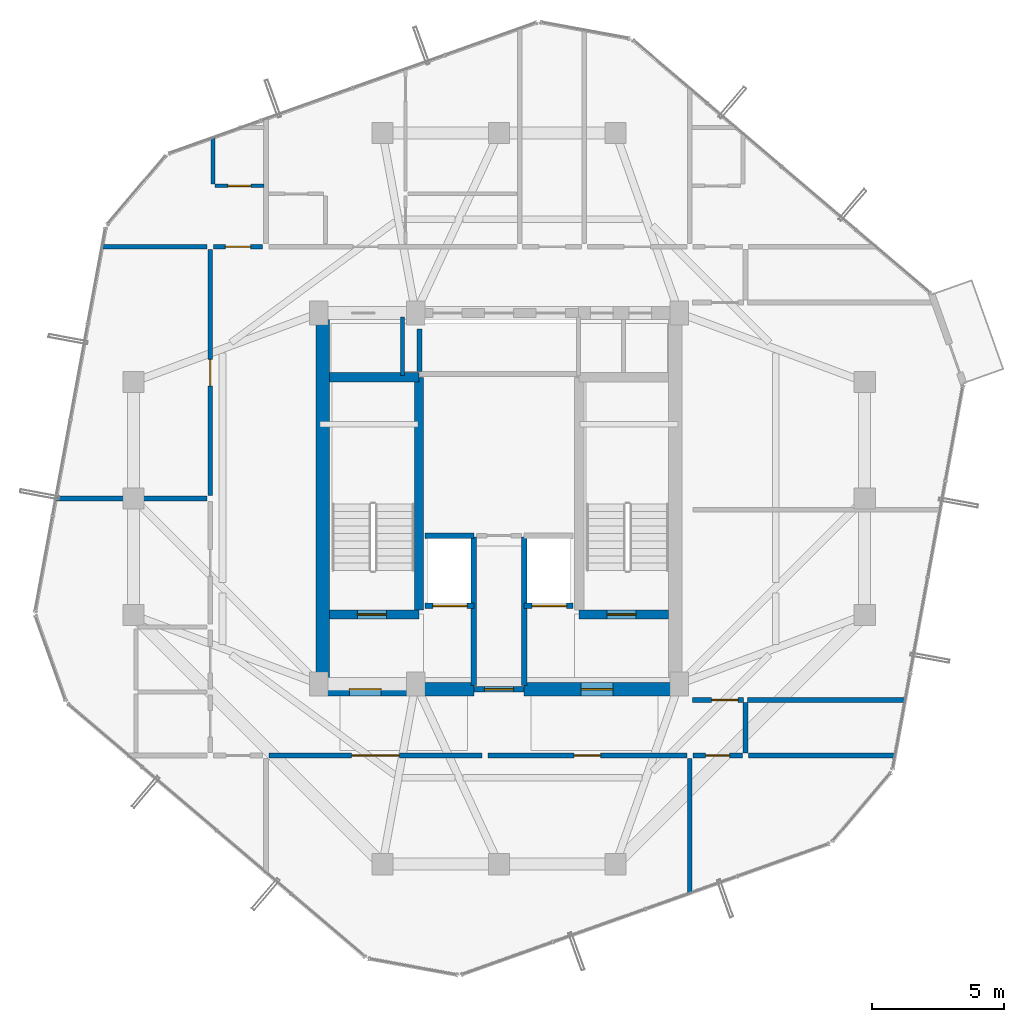
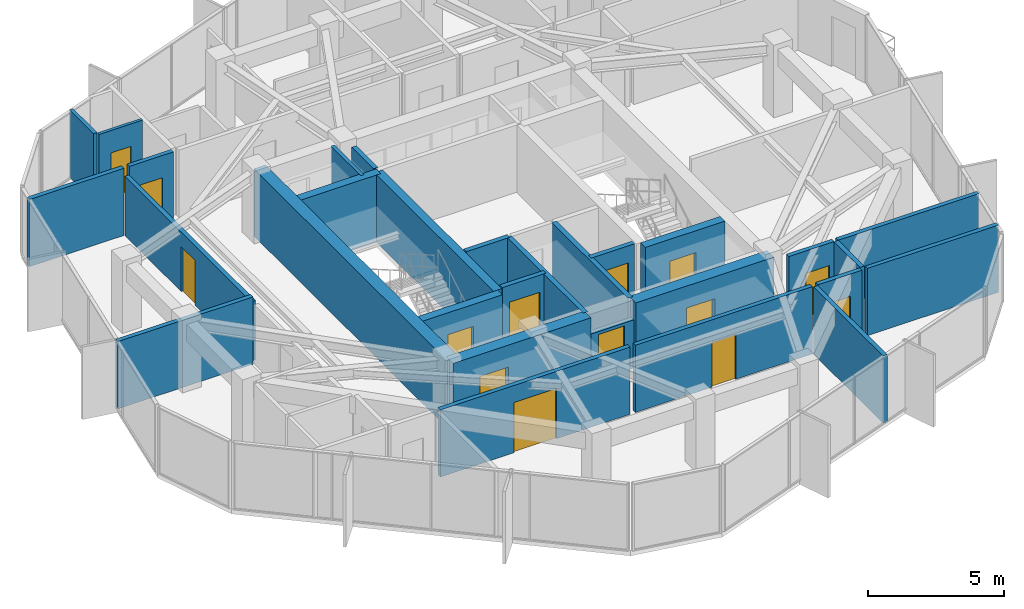
# One storey, part 25 of 29: 29 walls, 14 doors, 14 openings.
"""IFC4 building model written with IfcOpenShell, lengths in metres."""

from ifc_helpers import new_model, si_unit, direction, frame, frame_2d, origin, place, context, subcontext, project, spatial, rectangle, extrude, source, transform, mapped, material, layer, layer_set, type_object, element, fill, save


model = new_model("IFC4")

# Units and contexts
model_context = context("Model", 3, precision=1e-05, world=origin(), true_north=direction((0.0, 1.0)))
body_context = subcontext(model_context, "Body", "Model", "MODEL_VIEW")
ifc_project = project(units=[si_unit("LENGTHUNIT", "METRE"), si_unit("AREAUNIT", "SQUARE_METRE"), si_unit("VOLUMEUNIT", "CUBIC_METRE"), si_unit("PLANEANGLEUNIT", "RADIAN"), si_unit("MASSUNIT", "GRAM", prefix="KILO")], contexts=[model_context])

# Site, building, storey
site_placement = place(None, origin())
site = spatial("IfcSite", under=ifc_project, at=site_placement, CompositionType="ELEMENT")
building_placement = place(site_placement, origin())
building = spatial("IfcBuilding", under=site, at=building_placement, Name="Veraguas Prism Commons", CompositionType="ELEMENT")
storey_placement = place(building_placement, frame((0.0, 0.0, 244.75)))
storey = spatial("IfcBuildingStorey", under=building, at=storey_placement, Name="L69", CompositionType="ELEMENT", Elevation=244.75)

# Wall, opening, door
ifc_material_1 = material(Name="Concrete C50/60", Category="concrete")
ifc_layer_1 = layer(ifc_material_1, 0.35009765625, Name="Core Internal Shear Wall Upper RC 350", Category="concrete")
ifc_layer_set_1 = layer_set([ifc_layer_1], Name="Concrete C50/60")
wall_type_1 = type_object("IfcWallType", Name="Core Internal Shear Wall Upper RC 350", PredefinedType="SHEAR", material=ifc_layer_set_1)
wall_1_placement = place(storey_placement, frame((17.60009765625, 19.625, 0.0), z_axis=(0.0, 0.0, 1.0), x_axis=(1.0, 0.0, 0.0)))
wall_1 = element("IfcWall", 1, at=wall_1_placement, inside=storey, type_object=wall_type_1, Name="Stair ST-01 South Shear Wall L69", PredefinedType="SHEAR", context=body_context, shape_type="SweptSolid", body=[
    extrude(rectangle(XDim=3.375, YDim=0.35009765625, at=frame_2d((1.6875, 0.0))), origin(), (0.0, 0.0, 1.0), 3.014892578125),
])
opening_1_placement = place(wall_1_placement, frame((1.050048828125, 0.0, 0.0)))
opening_1 = element("IfcOpeningElement", 2, at=opening_1_placement, cuts=wall_1, Name="Opening DR-05", PredefinedType="OPENING", context=body_context, shape_type="SweptSolid", body=[
    extrude(rectangle(XDim=1.10009765625, YDim=2.030029296875, at=frame_2d((0.550048828125, 1.01513671875))), frame((0.0, 0.18505859375, 0.0), z_axis=(0.0, -1.0, 0.0), x_axis=(1.0, 0.0, 0.0)), (0.0, 0.0, 1.0), 0.3701171875),
])
ifc_material_2 = material(Name="Steel fire-rated door assembly", Category="steel")
door_type_1 = type_object("IfcDoorType", Name="Protected Stair and Refuge Fire Door 1100x2030", OperationType="NOTDEFINED", PredefinedType="DOOR", material=ifc_material_2)
shared_shape_1 = source(origin(), body_context, "Body", "SweptSolid", [
    extrude(rectangle(XDim=1.10009765625, YDim=2.030029296875, at=frame_2d((0.550048828125, 1.01513671875))), frame((0.0, 0.02490234375, 0.0), z_axis=(0.0, -1.0, 0.0), x_axis=(1.0, 0.0, 0.0)), (0.0, 0.0, 1.0), 0.050048828125),
])
door_1_placement = place(opening_1_placement, origin())
door_1 = element("IfcDoor", 3, at=door_1_placement, inside=storey, type_object=door_type_1, Name="Stair ST-01 Enclosure Door L69", OperationType="SINGLE_SWING_RIGHT", OverallHeight=2.030029296875, OverallWidth=1.10009765625, PredefinedType="DOOR", context=body_context, shape_type="MappedRepresentation", body=[
    mapped(shared_shape_1, transform((0.0, 0.0, 0.0), scale=1.0)),
])
fill(opening_1, door_1)

wall_2_placement = place(storey_placement, frame((27.02490234375, 19.625, 0.0), z_axis=(0.0, 0.0, 1.0), x_axis=(1.0, 0.0, 0.0)))
wall_2 = element("IfcWall", 4, at=wall_2_placement, inside=storey, type_object=wall_type_1, Name="Stair ST-02 South Shear Wall L69", PredefinedType="SHEAR", context=body_context, shape_type="SweptSolid", body=[
    extrude(rectangle(XDim=3.375, YDim=0.35009765625, at=frame_2d((1.6875, 0.0))), origin(), (0.0, 0.0, 1.0), 3.014892578125),
])
opening_2_placement = place(wall_2_placement, frame((1.050048828125, 0.0, 0.0)))
opening_2 = element("IfcOpeningElement", 5, at=opening_2_placement, cuts=wall_2, Name="Opening DR-05", PredefinedType="OPENING", context=body_context, shape_type="SweptSolid", body=[
    extrude(rectangle(XDim=1.10009765625, YDim=2.030029296875, at=frame_2d((0.550048828125, 1.01513671875))), frame((0.0, 0.18505859375, 0.0), z_axis=(0.0, -1.0, 0.0), x_axis=(1.0, 0.0, 0.0)), (0.0, 0.0, 1.0), 0.3701171875),
])
door_2_placement = place(opening_2_placement, origin())
door_2 = element("IfcDoor", 6, at=door_2_placement, inside=storey, type_object=door_type_1, Name="Stair ST-02 Enclosure Door L69", OperationType="SINGLE_SWING_LEFT", OverallHeight=2.030029296875, OverallWidth=1.10009765625, PredefinedType="DOOR", context=body_context, shape_type="MappedRepresentation", body=[
    mapped(shared_shape_1, transform((0.0, 0.0, 0.0), scale=1.0)),
])
fill(opening_2, door_2)

# Walls
wall_3_placement = place(storey_placement, frame((20.97509765625, 19.800048828125, 0.0), z_axis=(0.0, 0.0, 1.0), x_axis=(0.0, 1.0, 0.0)))
element("IfcWall", 7, at=wall_3_placement, inside=storey, type_object=wall_type_1, Name="Stair ST-01 Inner Shear Wall L69", PredefinedType="SHEAR", context=body_context, shape_type="SweptSolid", body=[
    extrude(rectangle(XDim=8.77490234375, YDim=0.35009765625, at=frame_2d((4.387451171875, 0.0))), origin(), (0.0, 0.0, 1.0), 3.014892578125),
])
wall_4_placement = place(storey_placement, frame((17.60009765625, 28.574951171875, 0.0), z_axis=(0.0, 0.0, 1.0), x_axis=(1.0, 0.0, 0.0)))
element("IfcWall", 8, at=wall_4_placement, inside=storey, type_object=wall_type_1, Name="Stair ST-01 North Shear Wall L69", PredefinedType="SHEAR", context=body_context, shape_type="SweptSolid", body=[
    extrude(rectangle(XDim=3.375, YDim=0.35009765625, at=frame_2d((1.6875, 0.0))), origin(), (0.0, 0.0, 1.0), 3.014892578125),
])
ifc_layer_2 = layer(ifc_material_1, 0.5, Name="Core Outer Shear Wall Upper RC 500", Category="concrete")
ifc_layer_set_2 = layer_set([ifc_layer_2], Name="Concrete C50/60")
wall_type_2 = type_object("IfcWallType", Name="Core Outer Shear Wall Upper RC 500", PredefinedType="SHEAR", material=ifc_layer_set_2)
wall_5_placement = place(storey_placement, frame((17.35009765625, 16.800048828125, 0.0), z_axis=(0.0, 0.0, 1.0), x_axis=(0.0, 1.0, 0.0)))
element("IfcWall", 9, at=wall_5_placement, inside=storey, type_object=wall_type_2, Name="Central Core West Shear Wall L69", PredefinedType="SHEAR", context=body_context, shape_type="SweptSolid", body=[
    extrude(rectangle(XDim=14.199951171875, YDim=0.5, at=frame_2d((7.10009765625, 0.0))), origin(), (0.0, 0.0, 1.0), 3.014892578125),
])

# Wall, opening, door
wall_6_placement = place(storey_placement, frame((17.199951171875, 16.800048828125, 0.0), z_axis=(0.0, 0.0, 1.0), x_axis=(1.0, 0.0, 0.0)))
wall_6 = element("IfcWall", 10, at=wall_6_placement, inside=storey, type_object=wall_type_2, Name="Central Core South-West Shear Wall L69", PredefinedType="SHEAR", context=body_context, shape_type="SweptSolid", body=[
    extrude(rectangle(XDim=5.85009765625, YDim=0.5, at=frame_2d((2.925048828125, 0.0))), origin(), (0.0, 0.0, 1.0), 3.014892578125),
])
opening_3_placement = place(wall_6_placement, frame((1.14990234375, 0.0, 0.0)))
opening_3 = element("IfcOpeningElement", 11, at=opening_3_placement, cuts=wall_6, Name="Opening DR-06", PredefinedType="OPENING", context=body_context, shape_type="SweptSolid", body=[
    extrude(rectangle(XDim=1.199951171875, YDim=2.030029296875, at=frame_2d((0.60009765625, 1.01513671875))), frame((0.0, 0.260009765625, 0.0), z_axis=(0.0, -1.0, 0.0), x_axis=(1.0, 0.0, 0.0)), (0.0, 0.0, 1.0), 0.52001953125),
])
door_type_2 = type_object("IfcDoorType", Name="Firefighting Lobby Smoke Door 1200x2030", OperationType="NOTDEFINED", PredefinedType="DOOR", material=ifc_material_2)
shared_shape_2 = source(origin(), body_context, "Body", "SweptSolid", [
    extrude(rectangle(XDim=1.199951171875, YDim=2.030029296875, at=frame_2d((0.60009765625, 1.01513671875))), frame((0.0, 0.02490234375, 0.0), z_axis=(0.0, -1.0, 0.0), x_axis=(1.0, 0.0, 0.0)), (0.0, 0.0, 1.0), 0.050048828125),
])
door_3_placement = place(opening_3_placement, origin())
door_3 = element("IfcDoor", 12, at=door_3_placement, inside=storey, type_object=door_type_2, Name="West FF Lobby Door L69", OperationType="SINGLE_SWING_RIGHT", OverallHeight=2.030029296875, OverallWidth=1.199951171875, PredefinedType="DOOR", context=body_context, shape_type="MappedRepresentation", body=[
    mapped(shared_shape_2, transform((0.0, 0.0, 0.0), scale=1.0)),
])
fill(opening_3, door_3)

wall_7_placement = place(storey_placement, frame((24.949951171875, 16.800048828125, 0.0), z_axis=(0.0, 0.0, 1.0), x_axis=(1.0, 0.0, 0.0)))
wall_7 = element("IfcWall", 13, at=wall_7_placement, inside=storey, type_object=wall_type_2, Name="Central Core South-East Shear Wall L69", PredefinedType="SHEAR", context=body_context, shape_type="SweptSolid", body=[
    extrude(rectangle(XDim=5.85009765625, YDim=0.5, at=frame_2d((2.925048828125, 0.0))), origin(), (0.0, 0.0, 1.0), 3.014892578125),
])
opening_4_placement = place(wall_7_placement, frame((2.14990234375, 0.0, 0.0)))
opening_4 = element("IfcOpeningElement", 14, at=opening_4_placement, cuts=wall_7, Name="Opening DR-06", PredefinedType="OPENING", context=body_context, shape_type="SweptSolid", body=[
    extrude(rectangle(XDim=1.199951171875, YDim=2.030029296875, at=frame_2d((0.60009765625, 1.01513671875))), frame((0.0, 0.260009765625, 0.0), z_axis=(0.0, -1.0, 0.0), x_axis=(1.0, 0.0, 0.0)), (0.0, 0.0, 1.0), 0.52001953125),
])
door_4_placement = place(opening_4_placement, origin())
door_4 = element("IfcDoor", 15, at=door_4_placement, inside=storey, type_object=door_type_2, Name="East FF Lobby Door L69", OperationType="SINGLE_SWING_RIGHT", OverallHeight=2.030029296875, OverallWidth=1.199951171875, PredefinedType="DOOR", context=body_context, shape_type="MappedRepresentation", body=[
    mapped(shared_shape_2, transform((0.0, 0.0, 0.0), scale=1.0)),
])
fill(opening_4, door_4)

# Wall
ifc_material_3 = material(Name="Autoclaved aerated masonry block 10 MPa", Category="masonry")
ifc_layer_3 = layer(ifc_material_3, 0.179931640625, Name="Corridor and Inter-Tenancy Partition 180", Category="masonry")
ifc_layer_set_3 = layer_set([ifc_layer_3], Name="Autoclaved aerated masonry block 10 MPa")
wall_type_3 = type_object("IfcWallType", Name="Corridor and Inter-Tenancy Partition 180", PredefinedType="PARTITIONING", material=ifc_layer_set_3)
wall_8_placement = place(storey_placement, frame((31.199951171875, 14.179931640625, 0.0), z_axis=(0.0, 0.0, 1.0), x_axis=(0.0, -1.0, 0.0)))
element("IfcWall", 16, at=wall_8_placement, inside=storey, type_object=wall_type_3, Name="WL-L69-PT002", PredefinedType="PARTITIONING", context=body_context, shape_type="SweptSolid", body=[
    extrude(rectangle(XDim=5.114501953125, YDim=0.179931640625, at=frame_2d((2.55712890625, 0.0))), origin(), (0.0, 0.0, 1.0), 3.014892578125),
])

# Wall, opening, door
wall_9_placement = place(storey_placement, frame((15.31005859375, 14.300048828125, 0.0), z_axis=(0.0, 0.0, 1.0), x_axis=(1.0, 0.0, 0.0)))
wall_9 = element("IfcWall", 17, at=wall_9_placement, inside=storey, type_object=wall_type_3, Name="WL-L69-PT003", PredefinedType="PARTITIONING", context=body_context, shape_type="SweptSolid", body=[
    extrude(rectangle(XDim=8.050048828125, YDim=0.179931640625, at=frame_2d((4.02490234375, 0.0))), origin(), (0.0, 0.0, 1.0), 3.014892578125),
])
opening_5_placement = place(wall_9_placement, frame((3.125, 0.0, 0.0)))
opening_5 = element("IfcOpeningElement", 18, at=opening_5_placement, cuts=wall_9, Name="Opening DR-07", PredefinedType="OPENING", context=body_context, shape_type="SweptSolid", body=[
    extrude(rectangle(XDim=1.800048828125, YDim=2.25, at=frame_2d((0.89990234375, 1.125))), frame((0.0, 0.099853515625, 0.0), z_axis=(0.0, -1.0, 0.0), x_axis=(1.0, 0.0, 0.0)), (0.0, 0.0, 1.0), 0.199951171875),
])
door_type_3 = type_object("IfcDoorType", Name="Corridor Double Fire Door 1800x2250", OperationType="NOTDEFINED", PredefinedType="DOOR", material=ifc_material_2)
shared_shape_3 = source(origin(), body_context, "Body", "SweptSolid", [
    extrude(rectangle(XDim=1.800048828125, YDim=2.25, at=frame_2d((0.89990234375, 1.125))), frame((0.0, 0.02490234375, 0.0), z_axis=(0.0, -1.0, 0.0), x_axis=(1.0, 0.0, 0.0)), (0.0, 0.0, 1.0), 0.050048828125),
])
door_5_placement = place(opening_5_placement, origin())
door_5 = element("IfcDoor", 19, at=door_5_placement, inside=storey, type_object=door_type_3, Name="Residents Co-op Library and Reading Hall Door 1", OperationType="SINGLE_SWING_LEFT", OverallHeight=2.25, OverallWidth=1.800048828125, PredefinedType="DOOR", context=body_context, shape_type="MappedRepresentation", body=[
    mapped(shared_shape_3, transform((0.0, 0.0, 0.0), scale=1.0)),
])
fill(opening_5, door_5)

wall_10_placement = place(storey_placement, frame((23.580078125, 14.300048828125, 0.0), z_axis=(0.0, 0.0, 1.0), x_axis=(1.0, 0.0, 0.0)))
wall_10 = element("IfcWall", 20, at=wall_10_placement, inside=storey, type_object=wall_type_3, Name="WL-L69-PT004", PredefinedType="PARTITIONING", context=body_context, shape_type="SweptSolid", body=[
    extrude(rectangle(XDim=7.510009765625, YDim=0.179931640625, at=frame_2d((3.7548828125, 0.0))), origin(), (0.0, 0.0, 1.0), 3.014892578125),
])
opening_6_placement = place(wall_10_placement, frame((3.2548828125, 0.0, 0.0)))
opening_6 = element("IfcOpeningElement", 21, at=opening_6_placement, cuts=wall_10, Name="Opening DR-13", PredefinedType="OPENING", context=body_context, shape_type="SweptSolid", body=[
    extrude(rectangle(XDim=1.0, YDim=2.010009765625, at=frame_2d((0.5, 1.0048828125))), frame((0.0, 0.099853515625, 0.0), z_axis=(0.0, -1.0, 0.0), x_axis=(1.0, 0.0, 0.0)), (0.0, 0.0, 1.0), 0.199951171875),
])
door_type_4 = type_object("IfcDoorType", Name="Core Accessible WC and Clinic Fire Door 1000x2010", OperationType="NOTDEFINED", PredefinedType="DOOR", material=ifc_material_2)
shared_shape_4 = source(origin(), body_context, "Body", "SweptSolid", [
    extrude(rectangle(XDim=1.0, YDim=2.010009765625, at=frame_2d((0.5, 1.0048828125))), frame((0.0, 0.02490234375, 0.0), z_axis=(0.0, -1.0, 0.0), x_axis=(1.0, 0.0, 0.0)), (0.0, 0.0, 1.0), 0.050048828125),
])
door_6_placement = place(opening_6_placement, origin())
door_6 = element("IfcDoor", 22, at=door_6_placement, inside=storey, type_object=door_type_4, Name="Residents Co-op Library and Reading Hall Door 2", OperationType="SINGLE_SWING_RIGHT", OverallHeight=2.010009765625, OverallWidth=1.0, PredefinedType="DOOR", context=body_context, shape_type="MappedRepresentation", body=[
    mapped(shared_shape_4, transform((0.0, 0.0, 0.0), scale=1.0)),
])
fill(opening_6, door_6)

# Wall
wall_11_placement = place(storey_placement, frame((12.97998046875, 33.5, 0.0), z_axis=(0.0, 0.0, 1.0), x_axis=(-1.0, 0.0, 0.0)))
element("IfcWall", 23, at=wall_11_placement, inside=storey, type_object=wall_type_3, Name="WL-L69-PT018", PredefinedType="PARTITIONING", context=body_context, shape_type="SweptSolid", body=[
    extrude(rectangle(XDim=3.99609375, YDim=0.179931640625, at=frame_2d((1.998046875, 0.0))), origin(), (0.0, 0.0, 1.0), 3.014892578125),
])

# Wall, opening, door
wall_12_placement = place(storey_placement, frame((13.10009765625, 24.110107421875, 0.0), z_axis=(0.0, 0.0, 1.0), x_axis=(0.0, 1.0, 0.0)))
wall_12 = element("IfcWall", 24, at=wall_12_placement, inside=storey, type_object=wall_type_3, Name="WL-L69-PT022", PredefinedType="PARTITIONING", context=body_context, shape_type="SweptSolid", body=[
    extrude(rectangle(XDim=9.27978515625, YDim=0.179931640625, at=frame_2d((4.639892578125, 0.0))), origin(), (0.0, 0.0, 1.0), 2.662109375),
])
opening_7_placement = place(wall_12_placement, frame((4.139892578125, 0.0, 0.0)))
opening_7 = element("IfcOpeningElement", 25, at=opening_7_placement, cuts=wall_12, Name="Opening DR-13", PredefinedType="OPENING", context=body_context, shape_type="SweptSolid", body=[
    extrude(rectangle(XDim=1.0, YDim=2.010009765625, at=frame_2d((0.5, 1.0048828125))), frame((0.0, 0.099853515625, 0.0), z_axis=(0.0, -1.0, 0.0), x_axis=(1.0, 0.0, 0.0)), (0.0, 0.0, 1.0), 0.199951171875),
])
door_7_placement = place(opening_7_placement, origin())
door_7 = element("IfcDoor", 26, at=door_7_placement, inside=storey, type_object=door_type_4, Name="Reading Lounge L69 Door", OperationType="SINGLE_SWING_RIGHT", OverallHeight=2.010009765625, OverallWidth=1.0, PredefinedType="DOOR", context=body_context, shape_type="MappedRepresentation", body=[
    mapped(shared_shape_4, transform((0.0, 0.0, 0.0), scale=1.0)),
])
fill(opening_7, door_7)

# Walls
wall_13_placement = place(storey_placement, frame((12.97998046875, 24.0, 0.0), z_axis=(0.0, 0.0, 1.0), x_axis=(-1.0, 0.0, 0.0)))
element("IfcWall", 27, at=wall_13_placement, inside=storey, type_object=wall_type_3, Name="WL-L69-PT027", PredefinedType="PARTITIONING", context=body_context, shape_type="SweptSolid", body=[
    extrude(rectangle(XDim=5.73974609375, YDim=0.179931640625, at=frame_2d((2.869873046875, 0.0))), origin(), (0.0, 0.0, 1.0), 3.014892578125),
])
wall_14_placement = place(storey_placement, frame((33.300048828125, 14.39990234375, 0.0), z_axis=(0.0, 0.0, 1.0), x_axis=(0.0, 1.0, 0.0)))
element("IfcWall", 28, at=wall_14_placement, inside=storey, type_object=wall_type_3, Name="WL-L69-PT029", PredefinedType="PARTITIONING", context=body_context, shape_type="SweptSolid", body=[
    extrude(rectangle(XDim=1.900146484375, YDim=0.179931640625, at=frame_2d((0.9501953125, 0.0))), origin(), (0.0, 0.0, 1.0), 3.014892578125),
])

# Wall, opening, door
wall_15_placement = place(storey_placement, frame((31.300048828125, 16.39990234375, 0.0), z_axis=(0.0, 0.0, 1.0), x_axis=(1.0, 0.0, 0.0)))
wall_15 = element("IfcWall", 29, at=wall_15_placement, inside=storey, type_object=wall_type_3, Name="WL-L69-PT031", PredefinedType="PARTITIONING", context=body_context, shape_type="SweptSolid", body=[
    extrude(rectangle(XDim=1.919921875, YDim=0.179931640625, at=frame_2d((0.9599609375, 0.0))), origin(), (0.0, 0.0, 1.0), 3.014892578125),
])
opening_8_placement = place(wall_15_placement, frame((0.719970703125, 0.0, 0.0)))
opening_8 = element("IfcOpeningElement", 30, at=opening_8_placement, cuts=wall_15, Name="Opening DR-13", PredefinedType="OPENING", context=body_context, shape_type="SweptSolid", body=[
    extrude(rectangle(XDim=1.0, YDim=2.010009765625, at=frame_2d((0.5, 1.0048828125))), frame((0.0, 0.099853515625, 0.0), z_axis=(0.0, -1.0, 0.0), x_axis=(1.0, 0.0, 0.0)), (0.0, 0.0, 1.0), 0.199951171875),
])
door_8_placement = place(opening_8_placement, origin())
door_8 = element("IfcDoor", 31, at=door_8_placement, inside=storey, type_object=door_type_4, Name="Panorama Lounge Door L69", OperationType="SINGLE_SWING_LEFT", OverallHeight=2.010009765625, OverallWidth=1.0, PredefinedType="DOOR", context=body_context, shape_type="MappedRepresentation", body=[
    mapped(shared_shape_4, transform((0.0, 0.0, 0.0), scale=1.0)),
])
fill(opening_8, door_8)

# Walls
wall_16_placement = place(storey_placement, frame((33.3798828125, 16.39990234375, 0.0), z_axis=(0.0, 0.0, 1.0), x_axis=(1.0, 0.0, 0.0)))
element("IfcWall", 32, at=wall_16_placement, inside=storey, type_object=wall_type_3, Name="WL-L69-PT032", PredefinedType="PARTITIONING", context=body_context, shape_type="SweptSolid", body=[
    extrude(rectangle(XDim=5.985107421875, YDim=0.179931640625, at=frame_2d((2.99267578125, 0.0))), origin(), (0.0, 0.0, 1.0), 3.014892578125),
])
wall_17_placement = place(storey_placement, frame((33.419921875, 14.300048828125, 0.0), z_axis=(0.0, 0.0, 1.0), x_axis=(1.0, 0.0, 0.0)))
element("IfcWall", 33, at=wall_17_placement, inside=storey, type_object=wall_type_3, Name="WL-L69-PT036", PredefinedType="PARTITIONING", context=body_context, shape_type="SweptSolid", body=[
    extrude(rectangle(XDim=5.5595703125, YDim=0.179931640625, at=frame_2d((2.77978515625, 0.0))), origin(), (0.0, 0.0, 1.0), 3.014892578125),
])

# Wall, opening, door
wall_18_placement = place(storey_placement, frame((31.320068359375, 14.300048828125, 0.0), z_axis=(0.0, 0.0, 1.0), x_axis=(1.0, 0.0, 0.0)))
wall_18 = element("IfcWall", 34, at=wall_18_placement, inside=storey, type_object=wall_type_3, Name="WL-L69-PT037", PredefinedType="PARTITIONING", context=body_context, shape_type="SweptSolid", body=[
    extrude(rectangle(XDim=1.85986328125, YDim=0.179931640625, at=frame_2d((0.929931640625, 0.0))), origin(), (0.0, 0.0, 1.0), 3.014892578125),
])
opening_9_placement = place(wall_18_placement, frame((0.47998046875, 0.0, 0.0)))
opening_9 = element("IfcOpeningElement", 35, at=opening_9_placement, cuts=wall_18, Name="Opening DR-14", PredefinedType="OPENING", context=body_context, shape_type="SweptSolid", body=[
    extrude(rectangle(XDim=0.89990234375, YDim=2.010009765625, at=frame_2d((0.449951171875, 1.0048828125))), frame((0.0, 0.099853515625, 0.0), z_axis=(0.0, -1.0, 0.0), x_axis=(1.0, 0.0, 0.0)), (0.0, 0.0, 1.0), 0.199951171875),
])
door_type_5 = type_object("IfcDoorType", Name="Core Service Room Fire Door 900x2010", OperationType="NOTDEFINED", PredefinedType="DOOR", material=ifc_material_2)
shared_shape_5 = source(origin(), body_context, "Body", "SweptSolid", [
    extrude(rectangle(XDim=0.89990234375, YDim=2.010009765625, at=frame_2d((0.449951171875, 1.0048828125))), frame((0.0, 0.02490234375, 0.0), z_axis=(0.0, -1.0, 0.0), x_axis=(1.0, 0.0, 0.0)), (0.0, 0.0, 1.0), 0.050048828125),
])
door_9_placement = place(opening_9_placement, origin())
door_9 = element("IfcDoor", 36, at=door_9_placement, inside=storey, type_object=door_type_5, Name="Community Co-op Kitchen SE Door", OperationType="SINGLE_SWING_RIGHT", OverallHeight=2.010009765625, OverallWidth=0.89990234375, PredefinedType="DOOR", context=body_context, shape_type="MappedRepresentation", body=[
    mapped(shared_shape_5, transform((0.0, 0.0, 0.0), scale=1.0)),
])
fill(opening_9, door_9)

wall_19_placement = place(storey_placement, frame((13.219970703125, 33.5, 0.0), z_axis=(0.0, 0.0, 1.0), x_axis=(1.0, 0.0, 0.0)))
wall_19 = element("IfcWall", 37, at=wall_19_placement, inside=storey, type_object=wall_type_3, Name="WL-L69-PT038", PredefinedType="PARTITIONING", context=body_context, shape_type="SweptSolid", body=[
    extrude(rectangle(XDim=1.860107421875, YDim=0.179931640625, at=frame_2d((0.93017578125, 0.0))), origin(), (0.0, 0.0, 1.0), 3.014892578125),
])
opening_10_placement = place(wall_19_placement, frame((0.455078125, 0.0, 0.0)))
opening_10 = element("IfcOpeningElement", 38, at=opening_10_placement, cuts=wall_19, Name="Opening DR-01", PredefinedType="OPENING", context=body_context, shape_type="SweptSolid", body=[
    extrude(rectangle(XDim=0.949951171875, YDim=2.02001953125, at=frame_2d((0.47509765625, 1.010009765625))), frame((0.0, 0.099853515625, 0.0), z_axis=(0.0, -1.0, 0.0), x_axis=(1.0, 0.0, 0.0)), (0.0, 0.0, 1.0), 0.199951171875),
])
ifc_material_4 = material(Name="Anodised aluminium EN AW-6063 T6", Category="aluminium")
door_type_6 = type_object("IfcDoorType", Name="Apartment Entrance Fire Door 950x2020", OperationType="NOTDEFINED", PredefinedType="DOOR", material=ifc_material_4)
shared_shape_6 = source(origin(), body_context, "Body", "SweptSolid", [
    extrude(rectangle(XDim=0.949951171875, YDim=2.02001953125, at=frame_2d((0.47509765625, 1.010009765625))), frame((0.0, 0.02490234375, 0.0), z_axis=(0.0, -1.0, 0.0), x_axis=(1.0, 0.0, 0.0)), (0.0, 0.0, 1.0), 0.050048828125),
])
door_10_placement = place(opening_10_placement, origin())
door_10 = element("IfcDoor", 39, at=door_10_placement, inside=storey, type_object=door_type_6, Name="Studio 69B Entrance Door", OperationType="SINGLE_SWING_LEFT", OverallHeight=2.02001953125, OverallWidth=0.949951171875, PredefinedType="DOOR", context=body_context, shape_type="MappedRepresentation", body=[
    mapped(shared_shape_6, transform((0.0, 0.0, 0.0), scale=1.0)),
])
fill(opening_10, door_10)

ifc_material_5 = material(Name="Lightweight acoustic gypsum board")
ifc_layer_4 = layer(ifc_material_5, 0.125, Name="Internal Apartment Room Partition 125")
ifc_layer_set_4 = layer_set([ifc_layer_4], Name="Lightweight acoustic gypsum board")
wall_type_4 = type_object("IfcWallType", Name="Internal Apartment Room Partition 125", PredefinedType="PARTITIONING", material=ifc_layer_set_4)
wall_20_placement = place(storey_placement, frame((13.280029296875, 35.800048828125, 0.0), z_axis=(0.0, 0.0, 1.0), x_axis=(1.0, 0.0, 0.0)))
wall_20 = element("IfcWall", 40, at=wall_20_placement, inside=storey, type_object=wall_type_4, Name="WL-L69-PT039", PredefinedType="PARTITIONING", context=body_context, shape_type="SweptSolid", body=[
    extrude(rectangle(XDim=1.840087890625, YDim=0.125, at=frame_2d((0.919921875, 0.0))), origin(), (0.0, 0.0, 1.0), 3.014892578125),
])
opening_11_placement = place(wall_20_placement, frame((0.489990234375, 0.0, 0.0)))
opening_11 = element("IfcOpeningElement", 41, at=opening_11_placement, cuts=wall_20, Name="Opening DR-03", PredefinedType="OPENING", context=body_context, shape_type="SweptSolid", body=[
    extrude(rectangle(XDim=0.860107421875, YDim=2.010009765625, at=frame_2d((0.43017578125, 1.0048828125))), frame((0.0, 0.072509765625, 0.0), z_axis=(0.0, -1.0, 0.0), x_axis=(1.0, 0.0, 0.0)), (0.0, 0.0, 1.0), 0.14501953125),
])
ifc_material_6 = material(Name="Timber moisture-resistant leaf", Category="wood")
door_type_7 = type_object("IfcDoorType", Name="Internal Bathroom Door 860x2010", OperationType="NOTDEFINED", PredefinedType="DOOR", material=ifc_material_6)
shared_shape_7 = source(origin(), body_context, "Body", "SweptSolid", [
    extrude(rectangle(XDim=0.860107421875, YDim=2.010009765625, at=frame_2d((0.43017578125, 1.0048828125))), frame((0.0, 0.02490234375, 0.0), z_axis=(0.0, -1.0, 0.0), x_axis=(1.0, 0.0, 0.0)), (0.0, 0.0, 1.0), 0.050048828125),
])
door_11_placement = place(opening_11_placement, origin())
door_11 = element("IfcDoor", 42, at=door_11_placement, inside=storey, type_object=door_type_7, Name="Studio 69B Bathroom Door", OperationType="SINGLE_SWING_RIGHT", OverallHeight=2.010009765625, OverallWidth=0.860107421875, PredefinedType="DOOR", context=body_context, shape_type="MappedRepresentation", body=[
    mapped(shared_shape_7, transform((0.0, 0.0, 0.0), scale=1.0)),
])
fill(opening_11, door_11)

ifc_layer_5 = layer(ifc_material_3, 0.199951171875, Name="Rated Shaft and Lobby Block Wall 200", Category="masonry")
ifc_layer_set_5 = layer_set([ifc_layer_5], Name="Autoclaved aerated masonry block 10 MPa")
wall_type_5 = type_object("IfcWallType", Name="Rated Shaft and Lobby Block Wall 200", PredefinedType="SOLIDWALL", material=ifc_layer_set_5)
wall_21_placement = place(storey_placement, frame((23.050048828125, 16.800048828125, 0.0), z_axis=(0.0, 0.0, 1.0), x_axis=(1.0, 0.0, 0.0)))
wall_21 = element("IfcWall", 43, at=wall_21_placement, inside=storey, type_object=wall_type_5, Name="Central Core Lobby Entrance Wall L69", PredefinedType="SOLIDWALL", context=body_context, shape_type="SweptSolid", body=[
    extrude(rectangle(XDim=1.89990234375, YDim=0.199951171875, at=frame_2d((0.949951171875, 0.0))), origin(), (0.0, 0.0, 1.0), 2.1650390625),
])
opening_12_placement = place(wall_21_placement, frame((0.39990234375, 0.0, 0.0)))
opening_12 = element("IfcOpeningElement", 44, at=opening_12_placement, cuts=wall_21, Name="Opening DR-05", PredefinedType="OPENING", context=body_context, shape_type="SweptSolid", body=[
    extrude(rectangle(XDim=1.10009765625, YDim=2.030029296875, at=frame_2d((0.550048828125, 1.01513671875))), frame((0.0, 0.10986328125, 0.0), z_axis=(0.0, -1.0, 0.0), x_axis=(1.0, 0.0, 0.0)), (0.0, 0.0, 1.0), 0.219970703125),
])
door_12_placement = place(opening_12_placement, origin())
door_12 = element("IfcDoor", 45, at=door_12_placement, inside=storey, type_object=door_type_1, Name="Central Lobby Door L69", OperationType="SINGLE_SWING_LEFT", OverallHeight=2.030029296875, OverallWidth=1.10009765625, PredefinedType="DOOR", context=body_context, shape_type="MappedRepresentation", body=[
    mapped(shared_shape_1, transform((0.0, 0.0, 0.0), scale=1.0)),
])
fill(opening_12, door_12)

wall_22_placement = place(storey_placement, frame((21.199951171875, 19.949951171875, 0.0), z_axis=(0.0, 0.0, 1.0), x_axis=(1.0, 0.0, 0.0)))
wall_22 = element("IfcWall", 46, at=wall_22_placement, inside=storey, type_object=wall_type_5, Name="Firefighting Lift FFL-1 Front Wall L69", PredefinedType="SOLIDWALL", context=body_context, shape_type="SweptSolid", body=[
    extrude(rectangle(XDim=1.85009765625, YDim=0.199951171875, at=frame_2d((0.925048828125, 0.0))), origin(), (0.0, 0.0, 1.0), 3.014892578125),
])
opening_13_placement = place(wall_22_placement, frame((0.300048828125, 0.0, 0.0)))
opening_13 = element("IfcOpeningElement", 47, at=opening_13_placement, cuts=wall_22, Name="Opening LD-02", PredefinedType="OPENING", context=body_context, shape_type="SweptSolid", body=[
    extrude(rectangle(XDim=1.300048828125, YDim=2.25, at=frame_2d((0.64990234375, 1.125))), frame((0.0, 0.10986328125, 0.0), z_axis=(0.0, -1.0, 0.0), x_axis=(1.0, 0.0, 0.0)), (0.0, 0.0, 1.0), 0.219970703125),
])
ifc_material_7 = material(Name="Stainless steel AISI 316", Category="steel")
door_type_8 = type_object("IfcDoorType", Name="Firefighting Lift Sliding Landing Door 1300x2250", OperationType="NOTDEFINED", PredefinedType="DOOR", material=ifc_material_7)
shared_shape_8 = source(origin(), body_context, "Body", "SweptSolid", [
    extrude(rectangle(XDim=1.300048828125, YDim=2.25, at=frame_2d((0.64990234375, 1.125))), frame((0.0, 0.02490234375, 0.0), z_axis=(0.0, -1.0, 0.0), x_axis=(1.0, 0.0, 0.0)), (0.0, 0.0, 1.0), 0.050048828125),
])
door_13_placement = place(opening_13_placement, origin())
door_13 = element("IfcDoor", 48, at=door_13_placement, inside=storey, type_object=door_type_8, Name="Firefighting Lift FFL-1 Landing Door L69", OperationType="SLIDING_TO_LEFT", OverallHeight=2.25, OverallWidth=1.300048828125, PredefinedType="DOOR", context=body_context, shape_type="MappedRepresentation", body=[
    mapped(shared_shape_8, transform((0.0, 0.0, 0.0), scale=1.0)),
])
fill(opening_13, door_13)

wall_23_placement = place(storey_placement, frame((24.949951171875, 19.949951171875, 0.0), z_axis=(0.0, 0.0, 1.0), x_axis=(1.0, 0.0, 0.0)))
wall_23 = element("IfcWall", 49, at=wall_23_placement, inside=storey, type_object=wall_type_5, Name="Firefighting Lift FFL-2 Front Wall L69", PredefinedType="SOLIDWALL", context=body_context, shape_type="SweptSolid", body=[
    extrude(rectangle(XDim=1.85009765625, YDim=0.199951171875, at=frame_2d((0.925048828125, 0.0))), origin(), (0.0, 0.0, 1.0), 3.014892578125),
])
opening_14_placement = place(wall_23_placement, frame((0.300048828125, 0.0, 0.0)))
opening_14 = element("IfcOpeningElement", 50, at=opening_14_placement, cuts=wall_23, Name="Opening LD-02", PredefinedType="OPENING", context=body_context, shape_type="SweptSolid", body=[
    extrude(rectangle(XDim=1.300048828125, YDim=2.25, at=frame_2d((0.64990234375, 1.125))), frame((0.0, 0.10986328125, 0.0), z_axis=(0.0, -1.0, 0.0), x_axis=(1.0, 0.0, 0.0)), (0.0, 0.0, 1.0), 0.219970703125),
])
door_14_placement = place(opening_14_placement, origin())
door_14 = element("IfcDoor", 51, at=door_14_placement, inside=storey, type_object=door_type_8, Name="Firefighting Lift FFL-2 Front Wall L69", OperationType="SLIDING_TO_LEFT", OverallHeight=2.25, OverallWidth=1.300048828125, PredefinedType="DOOR", context=body_context, shape_type="MappedRepresentation", body=[
    mapped(shared_shape_8, transform((0.0, 0.0, 0.0), scale=1.0)),
])
fill(opening_14, door_14)

# Walls
for number, where, z_axis, x_axis, name in (
    (52, (23.050048828125, 16.949951171875, 0.0), (0.0, 0.0, 1.0), (0.0, 1.0, 0.0), "West FF Lobby Divider Wall L69"),
    (53, (24.949951171875, 16.949951171875, 0.0), (0.0, 0.0, 1.0), (0.0, 1.0, 0.0), "East FF Lobby Divider Wall L69"),
):
    element("IfcWall", number, at=place(storey_placement, frame(where, z_axis=z_axis, x_axis=x_axis)), inside=storey, type_object=wall_type_5, Name=name, PredefinedType="SOLIDWALL", context=body_context, shape_type="SweptSolid", body=[
        extrude(rectangle(XDim=5.60009765625, YDim=0.199951171875, at=frame_2d((2.800048828125, 0.0))), origin(), (0.0, 0.0, 1.0), 3.014892578125),
    ])
wall_24_placement = place(storey_placement, frame((21.199951171875, 22.60009765625, 0.0), z_axis=(0.0, 0.0, 1.0), x_axis=(1.0, 0.0, 0.0)))
element("IfcWall", 54, at=wall_24_placement, inside=storey, type_object=wall_type_5, Name="Firefighting Lift FFL-1 Rear Wall L69", PredefinedType="SOLIDWALL", context=body_context, shape_type="SweptSolid", body=[
    extrude(rectangle(XDim=1.85009765625, YDim=0.199951171875, at=frame_2d((0.925048828125, 0.0))), origin(), (0.0, 0.0, 1.0), 3.014892578125),
])
wall_25_placement = place(storey_placement, frame((21.0, 28.800048828125, 0.0), z_axis=(0.0, 0.0, 1.0), x_axis=(0.0, 1.0, 0.0)))
element("IfcWall", 55, at=wall_25_placement, inside=storey, type_object=wall_type_5, Name="High-Rise Lift Bank West Shaft Wall L69", PredefinedType="SOLIDWALL", context=body_context, shape_type="SweptSolid", body=[
    extrude(rectangle(XDim=1.599853515625, YDim=0.199951171875, at=frame_2d((0.7998046875, 0.0))), origin(), (0.0, 0.0, 1.0), 3.014892578125),
])
ifc_layer_6 = layer(ifc_material_5, 0.14990234375, Name="Wet Room and Clinic Acoustic Partition 150")
ifc_layer_set_6 = layer_set([ifc_layer_6], Name="Lightweight acoustic gypsum board")
wall_type_6 = type_object("IfcWallType", Name="Wet Room and Clinic Acoustic Partition 150", PredefinedType="PARTITIONING", material=ifc_layer_set_6)
wall_26_placement = place(storey_placement, frame((20.35009765625, 28.64990234375, 0.0), z_axis=(0.0, 0.0, 1.0), x_axis=(0.0, 1.0, 0.0)))
element("IfcWall", 56, at=wall_26_placement, inside=storey, type_object=wall_type_6, Name="Core NW Service Inner Wall L69", PredefinedType="PARTITIONING", context=body_context, shape_type="SweptSolid", body=[
    extrude(rectangle(XDim=2.2001953125, YDim=0.14990234375, at=frame_2d((1.10009765625, 0.0))), origin(), (0.0, 0.0, 1.0), 3.014892578125),
])
wall_27_placement = place(storey_placement, frame((13.199951171875, 35.8798828125, 0.0), z_axis=(0.0, 0.0, 1.0), x_axis=(0.0, 1.0, 0.0)))
element("IfcWall", 57, at=wall_27_placement, inside=storey, type_object=wall_type_6, Name="WL-L69-PT041", PredefinedType="PARTITIONING", context=body_context, shape_type="SweptSolid", body=[
    extrude(rectangle(XDim=1.772705078125, YDim=0.14990234375, at=frame_2d((0.88623046875, 0.0))), origin(), (0.0, 0.0, 1.0), 3.014892578125),
])

save(model, "model.ifc")
